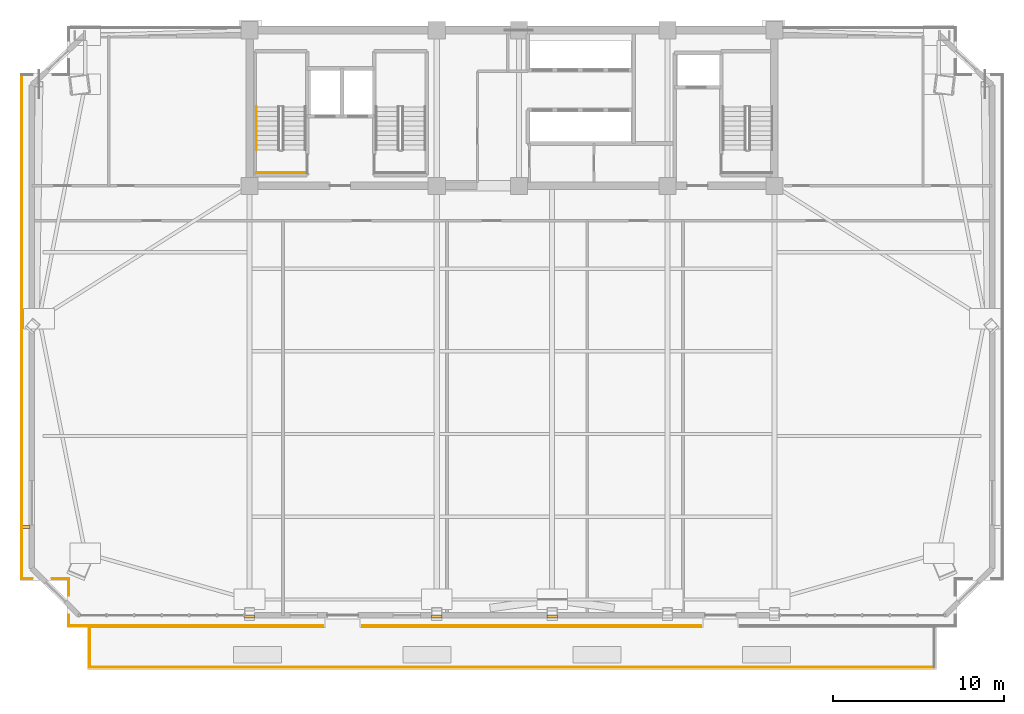
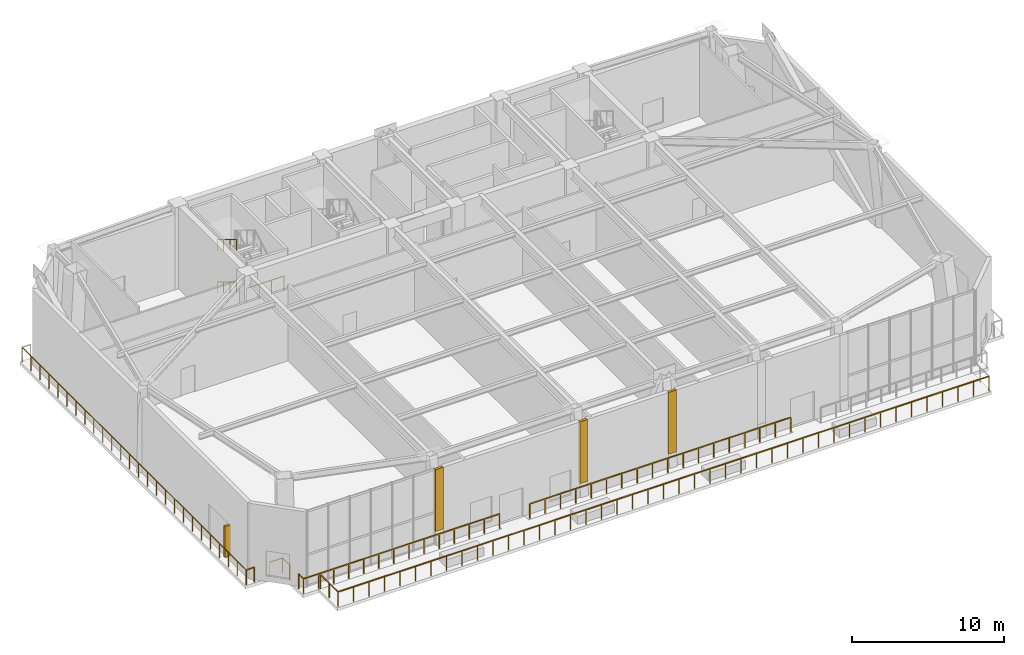
# One storey, part 12 of 16: 12 railings, 3 coverings, 1 shading device.
"""IFC4 building model written with IfcOpenShell, lengths in metres."""

from ifc_helpers import new_model, si_unit, direction, frame, origin, origin_2d, place, context, subcontext, project, spatial, polyline, rectangle, outline, extrude, source, transform, mapped, material, layer, layer_set, type_object, element, save


model = new_model("IFC4")

# Units and contexts
model_context = context("Model", 3, precision=1e-05, world=origin(), true_north=direction((0.0, 1.0)))
body_context = subcontext(model_context, "Body", "Model", "MODEL_VIEW")
ifc_project = project(units=[si_unit("LENGTHUNIT", "METRE"), si_unit("AREAUNIT", "SQUARE_METRE"), si_unit("VOLUMEUNIT", "CUBIC_METRE"), si_unit("PLANEANGLEUNIT", "RADIAN"), si_unit("MASSUNIT", "GRAM", prefix="KILO")], contexts=[model_context])

# Site, building, storey
site_placement = place(None, origin())
site = spatial("IfcSite", under=ifc_project, at=site_placement, CompositionType="ELEMENT")
building_placement = place(site_placement, origin())
building = spatial("IfcBuilding", under=site, at=building_placement, Name="Giltprow Tower", CompositionType="ELEMENT")
storey_placement = place(building_placement, frame((0.0, 0.0, 220.199951171875)))
storey = spatial("IfcBuildingStorey", under=building, at=storey_placement, Name="L56", CompositionType="ELEMENT", Elevation=220.199951171875)

# Coverings
ifc_material = material(Name="Anodized bronze", Category="metal")
ifc_layer = layer(ifc_material, 0.0400390625, Name="Anodized bronze")
ifc_layer_set = layer_set([ifc_layer], Name="Anodized bronze")
covering_type = type_object("IfcCoveringType", Name="COV-SOFFIT-BRONZE", PredefinedType="CLADDING", material=ifc_layer_set)
covering_1_placement = place(storey_placement, frame((0.0, 0.0, 1.10009765625)))
element("IfcCovering", 1, at=covering_1_placement, inside=storey, type_object=covering_type, Name="L56 Setback Pier Closure Cladding S-1", PredefinedType="CLADDING", context=body_context, shape_type="SweptSolid", body=[
    extrude(outline(polyline([(19.550048828125, 12.157958984375), (20.14990234375, 12.157958984375), (20.14990234375, 12.337890625), (19.550048828125, 12.337890625), (19.550048828125, 12.157958984375)])), origin(), (0.0, 0.0, 1.0), 4.96484375),
])
covering_2_placement = place(storey_placement, frame((0.0, 0.0, 1.10009765625)))
element("IfcCovering", 2, at=covering_2_placement, inside=storey, type_object=covering_type, Name="L56 Setback Pier Closure Cladding S-2", PredefinedType="CLADDING", context=body_context, shape_type="SweptSolid", body=[
    extrude(outline(polyline([(30.5, 12.157958984375), (31.10009765625, 12.157958984375), (31.10009765625, 12.337890625), (30.5, 12.337890625), (30.5, 12.157958984375)])), origin(), (0.0, 0.0, 1.0), 4.96484375),
])
covering_3_placement = place(storey_placement, frame((0.0, 0.0, 1.10009765625)))
element("IfcCovering", 3, at=covering_3_placement, inside=storey, type_object=covering_type, Name="L56 Setback Pier Closure Cladding S-3", PredefinedType="CLADDING", context=body_context, shape_type="SweptSolid", body=[
    extrude(outline(polyline([(37.25, 12.157958984375), (37.85009765625, 12.157958984375), (37.85009765625, 12.337890625), (37.25, 12.337890625), (37.25, 12.157958984375)])), origin(), (0.0, 0.0, 1.0), 4.96484375),
])

# Railings
railing_type_1 = type_object("IfcRailingType", Name="RAIL-BALC-GUARD-1200", PredefinedType="BALUSTRADE", material=ifc_material)
railing_1_placement = place(storey_placement, frame((46.25, 11.718017578125, 0.0)))
element("IfcRailing", 4, at=railing_1_placement, inside=storey, type_object=railing_type_1, Name="L56 Corner Apron Edge Balustrade 7", PredefinedType="BALUSTRADE", context=body_context, shape_type="SweptSolid", body=[
    extrude(rectangle(XDim=0.048095703125, YDim=0.048095703125, at=origin_2d()), frame((0.0, 0.0, 1.17578125), z_axis=(-1.0, 0.0, 0.0), x_axis=(0.0, -1.0, 0.0)), (0.0, 0.0, 1.0), 19.800048828125),
    extrude(rectangle(XDim=0.0419921875, YDim=0.0419921875, at=origin_2d()), origin(), (0.0, 0.0, 1.0), 1.15185546875),
    extrude(rectangle(XDim=0.0419921875, YDim=0.0419921875, at=origin_2d()), frame((-1.164794921875, 0.0, 0.0)), (0.0, 0.0, 1.0), 1.15185546875),
    extrude(rectangle(XDim=0.0419921875, YDim=0.0419921875, at=origin_2d()), frame((-2.329345703125, 0.0, 0.0)), (0.0, 0.0, 1.0), 1.15185546875),
    extrude(rectangle(XDim=0.0419921875, YDim=0.0419921875, at=origin_2d()), frame((-3.494140625, 0.0, 0.0)), (0.0, 0.0, 1.0), 1.15185546875),
    extrude(rectangle(XDim=0.0419921875, YDim=0.0419921875, at=origin_2d()), frame((-4.658935546875, 0.0, 0.0)), (0.0, 0.0, 1.0), 1.15185546875),
    extrude(rectangle(XDim=0.0419921875, YDim=0.0419921875, at=origin_2d()), frame((-5.823486328125, 0.0, 0.0)), (0.0, 0.0, 1.0), 1.15185546875),
    extrude(rectangle(XDim=0.0419921875, YDim=0.0419921875, at=origin_2d()), frame((-6.98828125, 0.0, 0.0)), (0.0, 0.0, 1.0), 1.15185546875),
    extrude(rectangle(XDim=0.0419921875, YDim=0.0419921875, at=origin_2d()), frame((-8.153076171875, 0.0, 0.0)), (0.0, 0.0, 1.0), 1.15185546875),
    extrude(rectangle(XDim=0.0419921875, YDim=0.0419921875, at=origin_2d()), frame((-9.317626953125, 0.0, 0.0)), (0.0, 0.0, 1.0), 1.15185546875),
    extrude(rectangle(XDim=0.0419921875, YDim=0.0419921875, at=origin_2d()), frame((-10.482421875, 0.0, 0.0)), (0.0, 0.0, 1.0), 1.15185546875),
    extrude(rectangle(XDim=0.0419921875, YDim=0.0419921875, at=origin_2d()), frame((-11.64697265625, 0.0, 0.0)), (0.0, 0.0, 1.0), 1.15185546875),
    extrude(rectangle(XDim=0.0419921875, YDim=0.0419921875, at=origin_2d()), frame((-12.811767578125, 0.0, 0.0)), (0.0, 0.0, 1.0), 1.15185546875),
    extrude(rectangle(XDim=0.0419921875, YDim=0.0419921875, at=origin_2d()), frame((-13.9765625, 0.0, 0.0)), (0.0, 0.0, 1.0), 1.15185546875),
    extrude(rectangle(XDim=0.0419921875, YDim=0.0419921875, at=origin_2d()), frame((-15.14111328125, 0.0, 0.0)), (0.0, 0.0, 1.0), 1.15185546875),
    extrude(rectangle(XDim=0.0419921875, YDim=0.0419921875, at=origin_2d()), frame((-16.305908203125, 0.0, 0.0)), (0.0, 0.0, 1.0), 1.15185546875),
    extrude(rectangle(XDim=0.0419921875, YDim=0.0419921875, at=origin_2d()), frame((-17.470703125, 0.0, 0.0)), (0.0, 0.0, 1.0), 1.15185546875),
    extrude(rectangle(XDim=0.0419921875, YDim=0.0419921875, at=origin_2d()), frame((-18.63525390625, 0.0, 0.0)), (0.0, 0.0, 1.0), 1.15185546875),
    extrude(rectangle(XDim=0.0419921875, YDim=0.0419921875, at=origin_2d()), frame((-19.800048828125, 0.0, 0.0)), (0.0, 0.0, 1.0), 1.15185546875),
])
railing_2_placement = place(storey_placement, frame((24.14990234375, 11.718017578125, 0.0)))
element("IfcRailing", 5, at=railing_2_placement, inside=storey, type_object=railing_type_1, Name="L56 Corner Apron Edge Balustrade 8", PredefinedType="BALUSTRADE", context=body_context, shape_type="SweptSolid", body=[
    extrude(rectangle(XDim=0.048095703125, YDim=0.048095703125, at=origin_2d()), frame((0.0, 0.0, 1.17578125), z_axis=(-1.0, 0.0, 0.0), x_axis=(0.0, -1.0, 0.0)), (0.0, 0.0, 1.0), 14.8779296875),
    extrude(rectangle(XDim=0.0419921875, YDim=0.0419921875, at=origin_2d()), origin(), (0.0, 0.0, 1.0), 1.15185546875),
    extrude(rectangle(XDim=0.0419921875, YDim=0.0419921875, at=origin_2d()), frame((-1.14453125, 0.0, 0.0)), (0.0, 0.0, 1.0), 1.15185546875),
    extrude(rectangle(XDim=0.0419921875, YDim=0.0419921875, at=origin_2d()), frame((-2.288818359375, 0.0, 0.0)), (0.0, 0.0, 1.0), 1.15185546875),
    extrude(rectangle(XDim=0.0419921875, YDim=0.0419921875, at=origin_2d()), frame((-3.433349609375, 0.0, 0.0)), (0.0, 0.0, 1.0), 1.15185546875),
    extrude(rectangle(XDim=0.0419921875, YDim=0.0419921875, at=origin_2d()), frame((-4.577880859375, 0.0, 0.0)), (0.0, 0.0, 1.0), 1.15185546875),
    extrude(rectangle(XDim=0.0419921875, YDim=0.0419921875, at=origin_2d()), frame((-5.72216796875, 0.0, 0.0)), (0.0, 0.0, 1.0), 1.15185546875),
    extrude(rectangle(XDim=0.0419921875, YDim=0.0419921875, at=origin_2d()), frame((-6.86669921875, 0.0, 0.0)), (0.0, 0.0, 1.0), 1.15185546875),
    extrude(rectangle(XDim=0.0419921875, YDim=0.0419921875, at=origin_2d()), frame((-8.01123046875, 0.0, 0.0)), (0.0, 0.0, 1.0), 1.15185546875),
    extrude(rectangle(XDim=0.0419921875, YDim=0.0419921875, at=origin_2d()), frame((-9.15576171875, 0.0, 0.0)), (0.0, 0.0, 1.0), 1.15185546875),
    extrude(rectangle(XDim=0.0419921875, YDim=0.0419921875, at=origin_2d()), frame((-10.300048828125, 0.0, 0.0)), (0.0, 0.0, 1.0), 1.15185546875),
    extrude(rectangle(XDim=0.0419921875, YDim=0.0419921875, at=origin_2d()), frame((-11.444580078125, 0.0, 0.0)), (0.0, 0.0, 1.0), 1.15185546875),
    extrude(rectangle(XDim=0.0419921875, YDim=0.0419921875, at=origin_2d()), frame((-12.589111328125, 0.0, 0.0)), (0.0, 0.0, 1.0), 1.15185546875),
    extrude(rectangle(XDim=0.0419921875, YDim=0.0419921875, at=origin_2d()), frame((-13.7333984375, 0.0, 0.0)), (0.0, 0.0, 1.0), 1.15185546875),
    extrude(rectangle(XDim=0.0419921875, YDim=0.0419921875, at=origin_2d()), frame((-14.8779296875, 0.0, 0.0)), (0.0, 0.0, 1.0), 1.15185546875),
])
railing_3_placement = place(storey_placement, frame((9.27197265625, 11.718017578125, 0.0)))
element("IfcRailing", 6, at=railing_3_placement, inside=storey, type_object=railing_type_1, Name="L56 Corner Apron Edge Balustrade 9", PredefinedType="BALUSTRADE", context=body_context, shape_type="SweptSolid", body=[
    extrude(rectangle(XDim=0.048095703125, YDim=0.048095703125, at=origin_2d()), frame((0.0, 0.0, 1.17578125), z_axis=(0.0, 1.0, 0.0), x_axis=(-1.0, 0.0, 0.0)), (0.0, 0.0, 1.0), 0.619873046875),
    extrude(rectangle(XDim=0.0419921875, YDim=0.0419921875, at=origin_2d()), origin(), (0.0, 0.0, 1.0), 1.15185546875),
    extrude(rectangle(XDim=0.0419921875, YDim=0.0419921875, at=origin_2d()), frame((0.0, 0.619873046875, 0.0)), (0.0, 0.0, 1.0), 1.15185546875),
])
railing_4_placement = place(storey_placement, frame((9.27197265625, 13.498046875, 0.0)))
element("IfcRailing", 7, at=railing_4_placement, inside=storey, type_object=railing_type_1, Name="L56 Corner Apron Edge Balustrade 10", PredefinedType="BALUSTRADE", context=body_context, shape_type="SweptSolid", body=[
    extrude(rectangle(XDim=0.048095703125, YDim=0.048095703125, at=origin_2d()), frame((0.0, 0.0, 1.17578125), z_axis=(0.0, 1.0, 0.0), x_axis=(-1.0, 0.0, 0.0)), (0.0, 0.0, 1.0), 0.973876953125),
    extrude(rectangle(XDim=0.0419921875, YDim=0.0419921875, at=origin_2d()), origin(), (0.0, 0.0, 1.0), 1.15185546875),
    extrude(rectangle(XDim=0.0419921875, YDim=0.0419921875, at=origin_2d()), frame((0.0, 0.973876953125, 0.0)), (0.0, 0.0, 1.0), 1.15185546875),
])
railing_5_placement = place(storey_placement, frame((9.27197265625, 14.471923828125, 0.0)))
element("IfcRailing", 8, at=railing_5_placement, inside=storey, type_object=railing_type_1, Name="L56 Corner Apron Edge Balustrade 11", PredefinedType="BALUSTRADE", context=body_context, shape_type="SweptSolid", body=[
    extrude(rectangle(XDim=0.048095703125, YDim=0.048095703125, at=origin_2d()), frame((0.0, 0.0, 1.17578125), z_axis=(-1.0, 0.0, 0.0), x_axis=(0.0, -1.0, 0.0)), (0.0, 0.0, 1.0), 0.973876953125),
    extrude(rectangle(XDim=0.0419921875, YDim=0.0419921875, at=origin_2d()), origin(), (0.0, 0.0, 1.0), 1.15185546875),
    extrude(rectangle(XDim=0.0419921875, YDim=0.0419921875, at=origin_2d()), frame((-0.973876953125, 0.0, 0.0)), (0.0, 0.0, 1.0), 1.15185546875),
])
railing_6_placement = place(storey_placement, frame((7.137939453125, 14.471923828125, 0.0)))
element("IfcRailing", 9, at=railing_6_placement, inside=storey, type_object=railing_type_1, Name="L56 Corner Apron Edge Balustrade 12", PredefinedType="BALUSTRADE", context=body_context, shape_type="SweptSolid", body=[
    extrude(rectangle(XDim=0.048095703125, YDim=0.048095703125, at=origin_2d()), frame((0.0, 0.0, 1.17578125), z_axis=(-1.0, 0.0, 0.0), x_axis=(0.0, -1.0, 0.0)), (0.0, 0.0, 1.0), 0.619873046875),
    extrude(rectangle(XDim=0.0419921875, YDim=0.0419921875, at=origin_2d()), origin(), (0.0, 0.0, 1.0), 1.15185546875),
    extrude(rectangle(XDim=0.0419921875, YDim=0.0419921875, at=origin_2d()), frame((-0.619873046875, 0.0, 0.0)), (0.0, 0.0, 1.0), 1.15185546875),
])
railing_7_placement = place(storey_placement, frame((6.51806640625, 14.471923828125, 0.0)))
element("IfcRailing", 10, at=railing_7_placement, inside=storey, type_object=railing_type_1, Name="L56 Corner Apron Edge Balustrade 13", PredefinedType="BALUSTRADE", context=body_context, shape_type="SweptSolid", body=[
    extrude(rectangle(XDim=0.048095703125, YDim=0.048095703125, at=origin_2d()), frame((0.0, 0.0, 1.17578125), z_axis=(0.0, 1.0, 0.0), x_axis=(-1.0, 0.0, 0.0)), (0.0, 0.0, 1.0), 29.47412109375),
    extrude(rectangle(XDim=0.0419921875, YDim=0.0419921875, at=origin_2d()), origin(), (0.0, 0.0, 1.0), 1.15185546875),
    extrude(rectangle(XDim=0.0419921875, YDim=0.0419921875, at=origin_2d()), frame((0.0, 1.178955078125, 0.0)), (0.0, 0.0, 1.0), 1.15185546875),
    extrude(rectangle(XDim=0.0419921875, YDim=0.0419921875, at=origin_2d()), frame((0.0, 2.35791015625, 0.0)), (0.0, 0.0, 1.0), 1.15185546875),
    extrude(rectangle(XDim=0.0419921875, YDim=0.0419921875, at=origin_2d()), frame((0.0, 3.536865234375, 0.0)), (0.0, 0.0, 1.0), 1.15185546875),
    extrude(rectangle(XDim=0.0419921875, YDim=0.0419921875, at=origin_2d()), frame((0.0, 4.7158203125, 0.0)), (0.0, 0.0, 1.0), 1.15185546875),
    extrude(rectangle(XDim=0.0419921875, YDim=0.0419921875, at=origin_2d()), frame((0.0, 5.894775390625, 0.0)), (0.0, 0.0, 1.0), 1.15185546875),
    extrude(rectangle(XDim=0.0419921875, YDim=0.0419921875, at=origin_2d()), frame((0.0, 7.07373046875, 0.0)), (0.0, 0.0, 1.0), 1.15185546875),
    extrude(rectangle(XDim=0.0419921875, YDim=0.0419921875, at=origin_2d()), frame((0.0, 8.252685546875, 0.0)), (0.0, 0.0, 1.0), 1.15185546875),
    extrude(rectangle(XDim=0.0419921875, YDim=0.0419921875, at=origin_2d()), frame((0.0, 9.431640625, 0.0)), (0.0, 0.0, 1.0), 1.15185546875),
    extrude(rectangle(XDim=0.0419921875, YDim=0.0419921875, at=origin_2d()), frame((0.0, 10.610595703125, 0.0)), (0.0, 0.0, 1.0), 1.15185546875),
    extrude(rectangle(XDim=0.0419921875, YDim=0.0419921875, at=origin_2d()), frame((0.0, 11.78955078125, 0.0)), (0.0, 0.0, 1.0), 1.15185546875),
    extrude(rectangle(XDim=0.0419921875, YDim=0.0419921875, at=origin_2d()), frame((0.0, 12.968505859375, 0.0)), (0.0, 0.0, 1.0), 1.15185546875),
    extrude(rectangle(XDim=0.0419921875, YDim=0.0419921875, at=origin_2d()), frame((0.0, 14.1474609375, 0.0)), (0.0, 0.0, 1.0), 1.15185546875),
    extrude(rectangle(XDim=0.0419921875, YDim=0.0419921875, at=origin_2d()), frame((0.0, 15.32666015625, 0.0)), (0.0, 0.0, 1.0), 1.15185546875),
    extrude(rectangle(XDim=0.0419921875, YDim=0.0419921875, at=origin_2d()), frame((0.0, 16.505615234375, 0.0)), (0.0, 0.0, 1.0), 1.15185546875),
    extrude(rectangle(XDim=0.0419921875, YDim=0.0419921875, at=origin_2d()), frame((0.0, 17.6845703125, 0.0)), (0.0, 0.0, 1.0), 1.15185546875),
    extrude(rectangle(XDim=0.0419921875, YDim=0.0419921875, at=origin_2d()), frame((0.0, 18.863525390625, 0.0)), (0.0, 0.0, 1.0), 1.15185546875),
    extrude(rectangle(XDim=0.0419921875, YDim=0.0419921875, at=origin_2d()), frame((0.0, 20.04248046875, 0.0)), (0.0, 0.0, 1.0), 1.15185546875),
    extrude(rectangle(XDim=0.0419921875, YDim=0.0419921875, at=origin_2d()), frame((0.0, 21.221435546875, 0.0)), (0.0, 0.0, 1.0), 1.15185546875),
    extrude(rectangle(XDim=0.0419921875, YDim=0.0419921875, at=origin_2d()), frame((0.0, 22.400390625, 0.0)), (0.0, 0.0, 1.0), 1.15185546875),
    extrude(rectangle(XDim=0.0419921875, YDim=0.0419921875, at=origin_2d()), frame((0.0, 23.579345703125, 0.0)), (0.0, 0.0, 1.0), 1.15185546875),
    extrude(rectangle(XDim=0.0419921875, YDim=0.0419921875, at=origin_2d()), frame((0.0, 24.75830078125, 0.0)), (0.0, 0.0, 1.0), 1.15185546875),
    extrude(rectangle(XDim=0.0419921875, YDim=0.0419921875, at=origin_2d()), frame((0.0, 25.937255859375, 0.0)), (0.0, 0.0, 1.0), 1.15185546875),
    extrude(rectangle(XDim=0.0419921875, YDim=0.0419921875, at=origin_2d()), frame((0.0, 27.1162109375, 0.0)), (0.0, 0.0, 1.0), 1.15185546875),
    extrude(rectangle(XDim=0.0419921875, YDim=0.0419921875, at=origin_2d()), frame((0.0, 28.295166015625, 0.0)), (0.0, 0.0, 1.0), 1.15185546875),
    extrude(rectangle(XDim=0.0419921875, YDim=0.0419921875, at=origin_2d()), frame((0.0, 29.47412109375, 0.0)), (0.0, 0.0, 1.0), 1.15185546875),
])
railing_type_2 = type_object("IfcRailingType", Name="RAIL-STAIR-GUARD-1200", PredefinedType="GUARDRAIL", material=ifc_material)
railing_8_placement = place(storey_placement, frame((20.260009765625, 38.2099609375, 3.400146484375)))
element("IfcRailing", 11, at=railing_8_placement, inside=storey, type_object=railing_type_2, Name="L56 ST-1 Mid-Landing Guard 2", PredefinedType="GUARDRAIL", context=body_context, shape_type="SweptSolid", body=[
    extrude(rectangle(XDim=0.048095703125, YDim=0.048095703125, at=origin_2d()), frame((0.0, 0.0, 1.17578125), z_axis=(1.0, 0.0, 0.0), x_axis=(0.0, 1.0, 0.0)), (0.0, 0.0, 1.0), 2.840087890625),
    extrude(rectangle(XDim=0.0419921875, YDim=0.0419921875, at=origin_2d()), origin(), (0.0, 0.0, 1.0), 1.15185546875),
    extrude(rectangle(XDim=0.0419921875, YDim=0.0419921875, at=origin_2d()), frame((0.94677734375, 0.0, 0.0)), (0.0, 0.0, 1.0), 1.15185546875),
    extrude(rectangle(XDim=0.0419921875, YDim=0.0419921875, at=origin_2d()), frame((1.893310546875, 0.0, 0.0)), (0.0, 0.0, 1.0), 1.15185546875),
    extrude(rectangle(XDim=0.0419921875, YDim=0.0419921875, at=origin_2d()), frame((2.840087890625, 0.0, 0.0)), (0.0, 0.0, 1.0), 1.15185546875),
])
railing_type_3 = type_object("IfcRailingType", Name="RAIL-STAIR-HAND-900", PredefinedType="HANDRAIL", material=ifc_material)
for number, where, name in (
    (12, (20.25, 42.070068359375, 1.8701171875), "L56 ST-1 stair handrail 2"),
    (13, (20.25, 42.070068359375, 5.27001953125), "L56 ST-1 stair handrail 4"),
):
    element("IfcRailing", number, at=place(storey_placement, frame(where)), inside=storey, type_object=railing_type_3, Name=name, PredefinedType="HANDRAIL", context=body_context, shape_type="SweptSolid", body=[
        extrude(rectangle(XDim=0.048095703125, YDim=0.048095703125, at=origin_2d()), frame((0.0, 0.0, 0.8759765625), z_axis=(0.0, -0.85478489116, 0.518982456201), x_axis=(1.0, 0.0, 0.0)), (0.0, 0.0, 1.0), 2.9482421875),
        extrude(rectangle(XDim=0.0419921875, YDim=0.0419921875, at=origin_2d()), origin(), (0.0, 0.0, 1.0), 0.851806640625),
        extrude(rectangle(XDim=0.0419921875, YDim=0.0419921875, at=origin_2d()), frame((0.0, -0.840087890625, 0.510009765625)), (0.0, 0.0, 1.0), 0.851806640625),
        extrude(rectangle(XDim=0.0419921875, YDim=0.0419921875, at=origin_2d()), frame((0.0, -1.679931640625, 1.02001953125)), (0.0, 0.0, 1.0), 0.851806640625),
        extrude(rectangle(XDim=0.0419921875, YDim=0.0419921875, at=origin_2d()), frame((0.0, -2.52001953125, 1.530029296875)), (0.0, 0.0, 1.0), 0.851806640625),
    ])
railing_type_4 = type_object("IfcRailingType", Name="RAIL-TERR-BAL-1200", PredefinedType="BALUSTRADE", material=ifc_material)
railing_9_placement = place(storey_placement, frame((10.491943359375, 11.617919921875, 0.0)))
element("IfcRailing", 14, at=railing_9_placement, inside=storey, type_object=railing_type_4, Name="L56 Sky Garden Guardrail Seg 1", PredefinedType="BALUSTRADE", context=body_context, shape_type="SweptSolid", body=[
    extrude(rectangle(XDim=0.048095703125, YDim=0.048095703125, at=origin_2d()), frame((0.0, 0.0, 1.17578125), z_axis=(0.0, -1.0, 0.0), x_axis=(1.0, 0.0, 0.0)), (0.0, 0.0, 1.0), 2.329833984375),
    extrude(rectangle(XDim=0.0419921875, YDim=0.0419921875, at=origin_2d()), origin(), (0.0, 0.0, 1.0), 1.15185546875),
    extrude(rectangle(XDim=0.0419921875, YDim=0.0419921875, at=origin_2d()), frame((0.0, -1.1650390625, 0.0)), (0.0, 0.0, 1.0), 1.15185546875),
    extrude(rectangle(XDim=0.0419921875, YDim=0.0419921875, at=origin_2d()), frame((0.0, -2.329833984375, 0.0)), (0.0, 0.0, 1.0), 1.15185546875),
])
railing_10_placement = place(storey_placement, frame((10.491943359375, 9.2880859375, 0.0)))
element("IfcRailing", 15, at=railing_10_placement, inside=storey, type_object=railing_type_4, Name="L56 Sky Garden Guardrail Seg 2", PredefinedType="BALUSTRADE", context=body_context, shape_type="SweptSolid", body=[
    extrude(rectangle(XDim=0.048095703125, YDim=0.048095703125, at=origin_2d()), frame((0.0, 0.0, 1.17578125), z_axis=(1.0, 0.0, 0.0), x_axis=(0.0, 1.0, 0.0)), (0.0, 0.0, 1.0), 49.416015625),
    extrude(rectangle(XDim=0.0419921875, YDim=0.0419921875, at=origin_2d()), origin(), (0.0, 0.0, 1.0), 1.15185546875),
    extrude(rectangle(XDim=0.0419921875, YDim=0.0419921875, at=origin_2d()), frame((1.176513671875, 0.0, 0.0)), (0.0, 0.0, 1.0), 1.15185546875),
    extrude(rectangle(XDim=0.0419921875, YDim=0.0419921875, at=origin_2d()), frame((2.35302734375, 0.0, 0.0)), (0.0, 0.0, 1.0), 1.15185546875),
    extrude(rectangle(XDim=0.0419921875, YDim=0.0419921875, at=origin_2d()), frame((3.52978515625, 0.0, 0.0)), (0.0, 0.0, 1.0), 1.15185546875),
    extrude(rectangle(XDim=0.0419921875, YDim=0.0419921875, at=origin_2d()), frame((4.706298828125, 0.0, 0.0)), (0.0, 0.0, 1.0), 1.15185546875),
    extrude(rectangle(XDim=0.0419921875, YDim=0.0419921875, at=origin_2d()), frame((5.8828125, 0.0, 0.0)), (0.0, 0.0, 1.0), 1.15185546875),
    extrude(rectangle(XDim=0.0419921875, YDim=0.0419921875, at=origin_2d()), frame((7.059326171875, 0.0, 0.0)), (0.0, 0.0, 1.0), 1.15185546875),
    extrude(rectangle(XDim=0.0419921875, YDim=0.0419921875, at=origin_2d()), frame((8.236083984375, 0.0, 0.0)), (0.0, 0.0, 1.0), 1.15185546875),
    extrude(rectangle(XDim=0.0419921875, YDim=0.0419921875, at=origin_2d()), frame((9.41259765625, 0.0, 0.0)), (0.0, 0.0, 1.0), 1.15185546875),
    extrude(rectangle(XDim=0.0419921875, YDim=0.0419921875, at=origin_2d()), frame((10.589111328125, 0.0, 0.0)), (0.0, 0.0, 1.0), 1.15185546875),
    extrude(rectangle(XDim=0.0419921875, YDim=0.0419921875, at=origin_2d()), frame((11.765625, 0.0, 0.0)), (0.0, 0.0, 1.0), 1.15185546875),
    extrude(rectangle(XDim=0.0419921875, YDim=0.0419921875, at=origin_2d()), frame((12.9423828125, 0.0, 0.0)), (0.0, 0.0, 1.0), 1.15185546875),
    extrude(rectangle(XDim=0.0419921875, YDim=0.0419921875, at=origin_2d()), frame((14.118896484375, 0.0, 0.0)), (0.0, 0.0, 1.0), 1.15185546875),
    extrude(rectangle(XDim=0.0419921875, YDim=0.0419921875, at=origin_2d()), frame((15.29541015625, 0.0, 0.0)), (0.0, 0.0, 1.0), 1.15185546875),
    extrude(rectangle(XDim=0.0419921875, YDim=0.0419921875, at=origin_2d()), frame((16.471923828125, 0.0, 0.0)), (0.0, 0.0, 1.0), 1.15185546875),
    extrude(rectangle(XDim=0.0419921875, YDim=0.0419921875, at=origin_2d()), frame((17.648681640625, 0.0, 0.0)), (0.0, 0.0, 1.0), 1.15185546875),
    extrude(rectangle(XDim=0.0419921875, YDim=0.0419921875, at=origin_2d()), frame((18.8251953125, 0.0, 0.0)), (0.0, 0.0, 1.0), 1.15185546875),
    extrude(rectangle(XDim=0.0419921875, YDim=0.0419921875, at=origin_2d()), frame((20.001708984375, 0.0, 0.0)), (0.0, 0.0, 1.0), 1.15185546875),
    extrude(rectangle(XDim=0.0419921875, YDim=0.0419921875, at=origin_2d()), frame((21.17822265625, 0.0, 0.0)), (0.0, 0.0, 1.0), 1.15185546875),
    extrude(rectangle(XDim=0.0419921875, YDim=0.0419921875, at=origin_2d()), frame((22.35498046875, 0.0, 0.0)), (0.0, 0.0, 1.0), 1.15185546875),
    extrude(rectangle(XDim=0.0419921875, YDim=0.0419921875, at=origin_2d()), frame((23.531494140625, 0.0, 0.0)), (0.0, 0.0, 1.0), 1.15185546875),
    extrude(rectangle(XDim=0.0419921875, YDim=0.0419921875, at=origin_2d()), frame((24.7080078125, 0.0, 0.0)), (0.0, 0.0, 1.0), 1.15185546875),
    extrude(rectangle(XDim=0.0419921875, YDim=0.0419921875, at=origin_2d()), frame((25.884521484375, 0.0, 0.0)), (0.0, 0.0, 1.0), 1.15185546875),
    extrude(rectangle(XDim=0.0419921875, YDim=0.0419921875, at=origin_2d()), frame((27.06103515625, 0.0, 0.0)), (0.0, 0.0, 1.0), 1.15185546875),
    extrude(rectangle(XDim=0.0419921875, YDim=0.0419921875, at=origin_2d()), frame((28.23779296875, 0.0, 0.0)), (0.0, 0.0, 1.0), 1.15185546875),
    extrude(rectangle(XDim=0.0419921875, YDim=0.0419921875, at=origin_2d()), frame((29.414306640625, 0.0, 0.0)), (0.0, 0.0, 1.0), 1.15185546875),
    extrude(rectangle(XDim=0.0419921875, YDim=0.0419921875, at=origin_2d()), frame((30.5908203125, 0.0, 0.0)), (0.0, 0.0, 1.0), 1.15185546875),
    extrude(rectangle(XDim=0.0419921875, YDim=0.0419921875, at=origin_2d()), frame((31.767333984375, 0.0, 0.0)), (0.0, 0.0, 1.0), 1.15185546875),
    extrude(rectangle(XDim=0.0419921875, YDim=0.0419921875, at=origin_2d()), frame((32.944091796875, 0.0, 0.0)), (0.0, 0.0, 1.0), 1.15185546875),
    extrude(rectangle(XDim=0.0419921875, YDim=0.0419921875, at=origin_2d()), frame((34.12060546875, 0.0, 0.0)), (0.0, 0.0, 1.0), 1.15185546875),
    extrude(rectangle(XDim=0.0419921875, YDim=0.0419921875, at=origin_2d()), frame((35.297119140625, 0.0, 0.0)), (0.0, 0.0, 1.0), 1.15185546875),
    extrude(rectangle(XDim=0.0419921875, YDim=0.0419921875, at=origin_2d()), frame((36.4736328125, 0.0, 0.0)), (0.0, 0.0, 1.0), 1.15185546875),
    extrude(rectangle(XDim=0.0419921875, YDim=0.0419921875, at=origin_2d()), frame((37.650390625, 0.0, 0.0)), (0.0, 0.0, 1.0), 1.15185546875),
    extrude(rectangle(XDim=0.0419921875, YDim=0.0419921875, at=origin_2d()), frame((38.826904296875, 0.0, 0.0)), (0.0, 0.0, 1.0), 1.15185546875),
    extrude(rectangle(XDim=0.0419921875, YDim=0.0419921875, at=origin_2d()), frame((40.00341796875, 0.0, 0.0)), (0.0, 0.0, 1.0), 1.15185546875),
    extrude(rectangle(XDim=0.0419921875, YDim=0.0419921875, at=origin_2d()), frame((41.179931640625, 0.0, 0.0)), (0.0, 0.0, 1.0), 1.15185546875),
    extrude(rectangle(XDim=0.0419921875, YDim=0.0419921875, at=origin_2d()), frame((42.356689453125, 0.0, 0.0)), (0.0, 0.0, 1.0), 1.15185546875),
    extrude(rectangle(XDim=0.0419921875, YDim=0.0419921875, at=origin_2d()), frame((43.533203125, 0.0, 0.0)), (0.0, 0.0, 1.0), 1.15185546875),
    extrude(rectangle(XDim=0.0419921875, YDim=0.0419921875, at=origin_2d()), frame((44.709716796875, 0.0, 0.0)), (0.0, 0.0, 1.0), 1.15185546875),
    extrude(rectangle(XDim=0.0419921875, YDim=0.0419921875, at=origin_2d()), frame((45.88623046875, 0.0, 0.0)), (0.0, 0.0, 1.0), 1.15185546875),
    extrude(rectangle(XDim=0.0419921875, YDim=0.0419921875, at=origin_2d()), frame((47.06298828125, 0.0, 0.0)), (0.0, 0.0, 1.0), 1.15185546875),
    extrude(rectangle(XDim=0.0419921875, YDim=0.0419921875, at=origin_2d()), frame((48.239501953125, 0.0, 0.0)), (0.0, 0.0, 1.0), 1.15185546875),
    extrude(rectangle(XDim=0.0419921875, YDim=0.0419921875, at=origin_2d()), frame((49.416015625, 0.0, 0.0)), (0.0, 0.0, 1.0), 1.15185546875),
])

# Shading device
shading_device_type = type_object("IfcShadingDeviceType", Name="SHD-FIN-420", PredefinedType="USERDEFINED", material=ifc_material)
shared_shape = source(origin(), body_context, "Body", "SweptSolid", [
    extrude(rectangle(XDim=0.419921875, YDim=0.159912109375, at=origin_2d()), origin(), (0.0, 0.0, 1.0), 2.5),
])
shading_device_placement = place(storey_placement, frame((6.798095703125, 17.489990234375, 0.35009765625), z_axis=(0.0, 0.0, 1.0), x_axis=(1.0, 0.0, 0.0)))
element("IfcShadingDevice", 16, at=shading_device_placement, inside=storey, type_object=shading_device_type, Name="L56 W Bronze Vertical Fin 1-1", ObjectType="FIN", PredefinedType="USERDEFINED", context=body_context, shape_type="MappedRepresentation", body=[
    mapped(shared_shape, transform((0.0, 0.0, 0.0), x_axis=(1.0, 0.0, 0.0), y_axis=(0.0, 1.0, 0.0), z_axis=(0.0, 0.0, 1.0), scale=1.0)),
])

save(model, "model.ifc")
